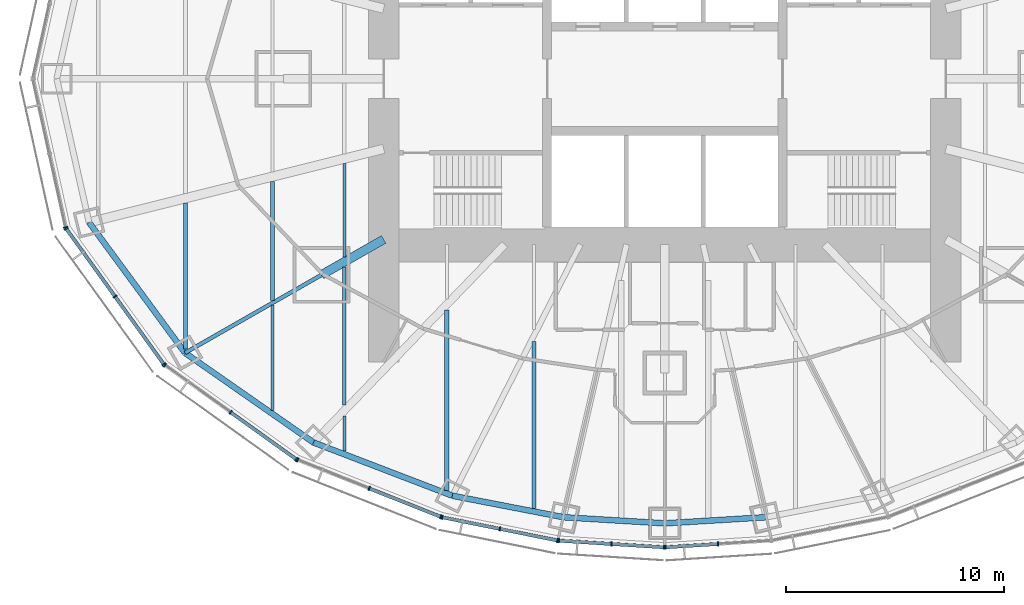
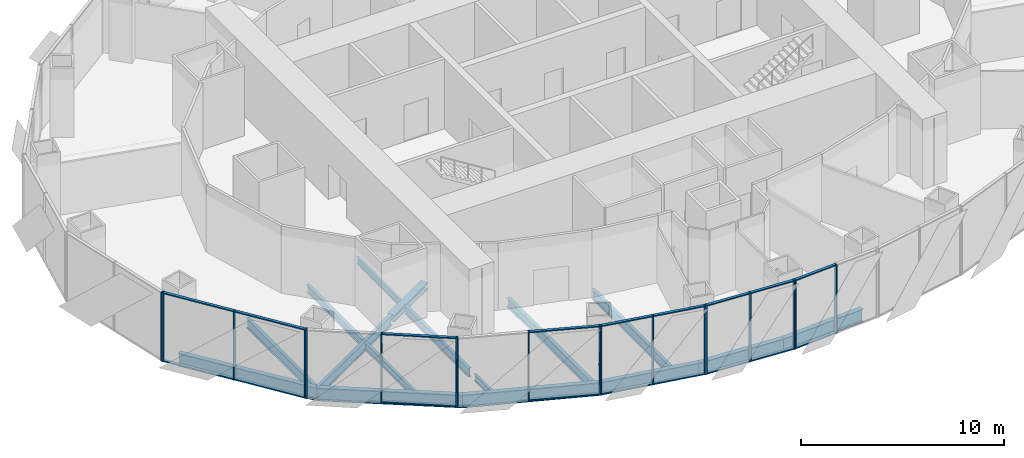
# One storey, part 2 of 18: 36 members, 16 beams, 7 elements without a shape of their own.
"""IFC4 building model written with IfcOpenShell, lengths in metres."""

from ifc_helpers import new_model, si_unit, direction, frame, origin, origin_2d, place, context, subcontext, project, spatial, rectangle, i_section, extrude, material, material_profile, profile_set, type_object, element, aggregate, save


model = new_model("IFC4")

# Units and contexts
model_context = context("Model", 3, precision=1e-05, world=origin(), true_north=direction((0.0, 1.0)))
body_context = subcontext(model_context, "Body", "Model", "MODEL_VIEW")
ifc_project = project(units=[si_unit("LENGTHUNIT", "METRE"), si_unit("AREAUNIT", "SQUARE_METRE"), si_unit("VOLUMEUNIT", "CUBIC_METRE"), si_unit("PLANEANGLEUNIT", "RADIAN"), si_unit("MASSUNIT", "GRAM", prefix="KILO")], contexts=[model_context])

# Site, building, storey
site_placement = place(None, origin())
site = spatial("IfcSite", under=ifc_project, at=site_placement, CompositionType="ELEMENT")
building_placement = place(site_placement, origin())
building = spatial("IfcBuilding", under=site, at=building_placement, Name="Lantaw Convention Tower", CompositionType="ELEMENT")
storey_placement = place(building_placement, frame((0.0, 0.0, 146.800048828125)))
storey = spatial("IfcBuildingStorey", under=building, at=storey_placement, Name="L34", CompositionType="ELEMENT", Elevation=146.800048828125)

# Beams
ifc_material_1 = material(Name="Steel ASTM A992", Category="steel")
ifc_material_profile_1 = material_profile(ifc_material_1, i_section(OverallWidth=0.2666015625, OverallDepth=0.76953125, WebThickness=0.015625, FlangeThickness=0.025390625, FilletRadius=0.0126953125, at=origin_2d()), Name="W30X132")
ifc_profile_set_1 = profile_set([ifc_material_profile_1], Name="Steel ASTM A992")
beam_type_1 = type_object("IfcBeamType", Name="Beam E W30X132", PredefinedType="SPANDREL", material=ifc_profile_set_1)
beam_1_placement = place(storey_placement, frame((-26.419921875, -6.587158203125, -0.534912109375), z_axis=(0.5923891972, -0.805651934176, 0.0), x_axis=(0.805651934176, 0.5923891972, 0.0)))
element("IfcBeam", 1, at=beam_1_placement, inside=storey, type_object=beam_type_1, Name="Edge beam 14", PredefinedType="SPANDREL", context=body_context, shape_type="SweptSolid", body=[
    extrude(i_section(OverallWidth=0.2666015625, OverallDepth=0.76953125, WebThickness=0.015625, FlangeThickness=0.025390625, FilletRadius=0.0126953125, at=origin_2d()), origin(), (0.0, 0.0, 1.0), 7.437744140625),
])
beam_2_placement = place(storey_placement, frame((-22.013916015625, -12.579345703125, -0.534912109375), z_axis=(0.820310765287, -0.57191804339, 0.0), x_axis=(0.57191804339, 0.820310765287, 0.0)))
element("IfcBeam", 2, at=beam_2_placement, inside=storey, type_object=beam_type_1, Name="Edge beam 15", PredefinedType="SPANDREL", context=body_context, shape_type="SweptSolid", body=[
    extrude(i_section(OverallWidth=0.2666015625, OverallDepth=0.76953125, WebThickness=0.015625, FlangeThickness=0.025390625, FilletRadius=0.0126953125, at=origin_2d()), origin(), (0.0, 0.0, 1.0), 7.187744140625),
])
beam_3_placement = place(storey_placement, frame((-16.11767578125, -16.690185546875, -0.534912109375), z_axis=(0.933691081977, -0.358079549033, 0.0), x_axis=(0.358079549033, 0.933691081977, 0.0)))
element("IfcBeam", 3, at=beam_3_placement, inside=storey, type_object=beam_type_1, Name="Edge beam 16", PredefinedType="SPANDREL", context=body_context, shape_type="SweptSolid", body=[
    extrude(i_section(OverallWidth=0.2666015625, OverallDepth=0.76953125, WebThickness=0.015625, FlangeThickness=0.025390625, FilletRadius=0.0126953125, at=origin_2d()), origin(), (0.0, 0.0, 1.0), 6.821533203125),
])
beam_4_placement = place(storey_placement, frame((-9.74853515625, -19.1328125, -0.534912109375), z_axis=(0.981796805654, -0.189934284446, 0.0), x_axis=(0.189934284446, 0.981796805654, 0.0)))
element("IfcBeam", 4, at=beam_4_placement, inside=storey, type_object=beam_type_1, Name="Edge beam 17", PredefinedType="SPANDREL", context=body_context, shape_type="SweptSolid", body=[
    extrude(i_section(OverallWidth=0.2666015625, OverallDepth=0.76953125, WebThickness=0.015625, FlangeThickness=0.025390625, FilletRadius=0.0126953125, at=origin_2d()), origin(), (0.0, 0.0, 1.0), 5.1982421875),
])
for number, where, z_axis, x_axis, name in (
    (5, (-4.64501953125, -20.1201171875, -0.534912109375), (0.998190892054, -0.06012439621, 0.0), (0.06012439621, 0.998190892054, 0.0), "Edge beam 18"),
    (6, (0.0, -20.39990234375, -0.534912109375), (0.998190892054, 0.06012439621, 0.0), (-0.06012439621, 0.998190892054, 0.0), "Edge beam 19"),
):
    element("IfcBeam", number, at=place(storey_placement, frame(where, z_axis=z_axis, x_axis=x_axis)), inside=storey, type_object=beam_type_1, Name=name, PredefinedType="SPANDREL", context=body_context, shape_type="SweptSolid", body=[
        extrude(i_section(OverallWidth=0.2666015625, OverallDepth=0.76953125, WebThickness=0.015625, FlangeThickness=0.025390625, FilletRadius=0.0126953125, at=origin_2d()), origin(), (0.0, 0.0, 1.0), 4.6533203125),
    ])
ifc_material_profile_2 = material_profile(ifc_material_1, i_section(OverallWidth=0.177978515625, OverallDepth=0.599365234375, WebThickness=0.010009765625, FlangeThickness=0.012939453125, FilletRadius=0.012939453125, at=origin_2d()), Name="W24X55")
ifc_profile_set_2 = profile_set([ifc_material_profile_2], Name="Steel ASTM A992")
beam_type_2 = type_object("IfcBeamType", Name="Beam G W24X55", PredefinedType="BEAM", material=ifc_profile_set_2)
beam_5_placement = place(storey_placement, frame((-15.75, -9.0, -0.44970703125), z_axis=(-0.868245224608, -0.496135293993, 0.0), x_axis=(0.496135293993, -0.868245224608, 0.0)))
element("IfcBeam", 7, at=beam_5_placement, inside=storey, type_object=beam_type_2, Name="Floor girder on ray 15", PredefinedType="BEAM", context=body_context, shape_type="SweptSolid", body=[
    extrude(i_section(OverallWidth=0.177978515625, OverallDepth=0.599365234375, WebThickness=0.010009765625, FlangeThickness=0.012939453125, FilletRadius=0.012939453125, at=origin_2d()), origin(), (0.0, 0.0, 1.0), 7.21435546875),
])
ifc_material_profile_3 = material_profile(ifc_material_1, i_section(OverallWidth=0.40380859375, OverallDepth=0.406494140625, WebThickness=0.027099609375, FlangeThickness=0.043701171875, FilletRadius=0.01513671875, at=origin_2d()), Name="W14X233")
ifc_profile_set_3 = profile_set([ifc_material_profile_3], Name="Steel ASTM A992")
beam_type_3 = type_object("IfcBeamType", Name="Beam GM W14X233", PredefinedType="BEAM", material=ifc_profile_set_3)
beam_6_placement = place(storey_placement, frame((-12.89990234375, -7.371337890625, -0.353271484375), z_axis=(-0.868238565244, -0.496146947811, 0.0), x_axis=(0.496146947811, -0.868238565244, 0.0)))
element("IfcBeam", 8, at=beam_6_placement, inside=storey, type_object=beam_type_3, Name="Core link beam on ray 15", PredefinedType="BEAM", context=body_context, shape_type="SweptSolid", body=[
    extrude(i_section(OverallWidth=0.40380859375, OverallDepth=0.406494140625, WebThickness=0.027099609375, FlangeThickness=0.043701171875, FilletRadius=0.01513671875, at=origin_2d()), origin(), (0.0, 0.0, 1.0), 3.28271484375),
])
ifc_material_profile_4 = material_profile(ifc_material_1, i_section(OverallWidth=0.140380859375, OverallDepth=0.40380859375, WebThickness=0.007080078125, FlangeThickness=0.01123046875, FilletRadius=0.01025390625, at=origin_2d()), Name="W16X31")
ifc_profile_set_4 = profile_set([ifc_material_profile_4], Name="Steel ASTM A992")
beam_type_4 = type_object("IfcBeamType", Name="Beam J W16X31", PredefinedType="JOIST", material=ifc_profile_set_4)
beam_7_placement = place(storey_placement, frame((-14.699951171875, -17.091064453125, -0.35205078125), z_axis=(0.0, 1.0, 0.0), x_axis=(-1.0, 0.0, 0.0)))
element("IfcBeam", 9, at=beam_7_placement, inside=storey, type_object=beam_type_4, Name="Floor joist", PredefinedType="JOIST", context=body_context, shape_type="SweptSolid", body=[
    extrude(i_section(OverallWidth=0.140380859375, OverallDepth=0.40380859375, WebThickness=0.007080078125, FlangeThickness=0.01123046875, FilletRadius=0.01025390625, at=origin_2d()), origin(), (0.0, 0.0, 1.0), 1.609130859375),
])
beam_8_placement = place(storey_placement, frame((-14.699951171875, -8.16748046875, -0.35205078125), z_axis=(0.0, 1.0, 0.0), x_axis=(-1.0, 0.0, 0.0)))
element("IfcBeam", 10, at=beam_8_placement, inside=storey, type_object=beam_type_4, Name="Floor joist", PredefinedType="JOIST", context=body_context, shape_type="SweptSolid", body=[
    extrude(i_section(OverallWidth=0.140380859375, OverallDepth=0.40380859375, WebThickness=0.007080078125, FlangeThickness=0.01123046875, FilletRadius=0.01025390625, at=origin_2d()), origin(), (0.0, 0.0, 1.0), 4.28515625),
])
ifc_material_profile_5 = material_profile(ifc_material_1, i_section(OverallWidth=0.15234375, OverallDepth=0.449462890625, WebThickness=0.007568359375, FlangeThickness=0.0107421875, FilletRadius=0.01025390625, at=origin_2d()), Name="W18X35")
ifc_profile_set_5 = profile_set([ifc_material_profile_5], Name="Steel ASTM A992")
beam_type_5 = type_object("IfcBeamType", Name="Beam J W18X35", PredefinedType="JOIST", material=ifc_profile_set_5)
beam_9_placement = place(storey_placement, frame((-18.0, -15.21533203125, -0.374755859375), z_axis=(0.0, 1.0, 0.0), x_axis=(-1.0, 0.0, 0.0)))
element("IfcBeam", 11, at=beam_9_placement, inside=storey, type_object=beam_type_5, Name="Floor joist", PredefinedType="JOIST", context=body_context, shape_type="SweptSolid", body=[
    extrude(i_section(OverallWidth=0.15234375, OverallDepth=0.449462890625, WebThickness=0.007568359375, FlangeThickness=0.0107421875, FilletRadius=0.01025390625, at=origin_2d()), origin(), (0.0, 0.0, 1.0), 4.8271484375),
])
ifc_material_profile_6 = material_profile(ifc_material_1, i_section(OverallWidth=0.1904296875, OverallDepth=0.457275390625, WebThickness=0.009033203125, FlangeThickness=0.014404296875, FilletRadius=0.01025390625, at=origin_2d()), Name="W18X50")
ifc_profile_set_6 = profile_set([ifc_material_profile_6], Name="Steel ASTM A992")
beam_type_6 = type_object("IfcBeamType", Name="Beam J W18X50", PredefinedType="JOIST", material=ifc_profile_set_6)
beam_10_placement = place(storey_placement, frame((-18.0, -10.18310546875, -0.378662109375), z_axis=(0.0, 1.0, 0.0), x_axis=(-1.0, 0.0, 0.0)))
element("IfcBeam", 12, at=beam_10_placement, inside=storey, type_object=beam_type_6, Name="Floor joist", PredefinedType="JOIST", context=body_context, shape_type="SweptSolid", body=[
    extrude(i_section(OverallWidth=0.1904296875, OverallDepth=0.457275390625, WebThickness=0.009033203125, FlangeThickness=0.014404296875, FilletRadius=0.01025390625, at=origin_2d()), origin(), (0.0, 0.0, 1.0), 5.47802734375),
])
ifc_material_profile_7 = material_profile(ifc_material_1, i_section(OverallWidth=0.1650390625, OverallDepth=0.52587890625, WebThickness=0.0087890625, FlangeThickness=0.011474609375, FilletRadius=0.0126953125, at=origin_2d()), Name="W21X44")
ifc_profile_set_7 = profile_set([ifc_material_profile_7], Name="Steel ASTM A992")
beam_type_7 = type_object("IfcBeamType", Name="Beam J W21X44", PredefinedType="JOIST", material=ifc_profile_set_7)
beam_11_placement = place(storey_placement, frame((-14.699951171875, -14.962646484375, -0.412841796875), z_axis=(0.0, 1.0, 0.0), x_axis=(-1.0, 0.0, 0.0)))
element("IfcBeam", 13, at=beam_11_placement, inside=storey, type_object=beam_type_7, Name="Floor joist", PredefinedType="JOIST", context=body_context, shape_type="SweptSolid", body=[
    extrude(i_section(OverallWidth=0.1650390625, OverallDepth=0.52587890625, WebThickness=0.0087890625, FlangeThickness=0.011474609375, FilletRadius=0.0126953125, at=origin_2d()), origin(), (0.0, 0.0, 1.0), 6.330078125),
])
ifc_material_profile_8 = material_profile(ifc_material_1, i_section(OverallWidth=0.2099609375, OverallDepth=0.535888671875, WebThickness=0.010986328125, FlangeThickness=0.017333984375, FilletRadius=0.012939453125, at=origin_2d()), Name="W21X68")
ifc_profile_set_8 = profile_set([ifc_material_profile_8], Name="Steel ASTM A992")
beam_type_8 = type_object("IfcBeamType", Name="Beam J W21X68", PredefinedType="JOIST", material=ifc_profile_set_8)
beam_12_placement = place(storey_placement, frame((-10.0, -18.8935546875, -0.41796875), z_axis=(0.0, 1.0, 0.0), x_axis=(-1.0, 0.0, 0.0)))
element("IfcBeam", 14, at=beam_12_placement, inside=storey, type_object=beam_type_8, Name="Floor joist", PredefinedType="JOIST", context=body_context, shape_type="SweptSolid", body=[
    extrude(i_section(OverallWidth=0.2099609375, OverallDepth=0.535888671875, WebThickness=0.010986328125, FlangeThickness=0.017333984375, FilletRadius=0.012939453125, at=origin_2d()), origin(), (0.0, 0.0, 1.0), 8.278564453125),
])
ifc_material_profile_9 = material_profile(ifc_material_1, i_section(OverallWidth=0.177978515625, OverallDepth=0.599365234375, WebThickness=0.010009765625, FlangeThickness=0.012939453125, FilletRadius=0.012939453125, at=origin_2d()), Name="W24X55")
ifc_profile_set_9 = profile_set([ifc_material_profile_9], Name="Steel ASTM A992")
beam_type_9 = type_object("IfcBeamType", Name="Beam J W24X55", PredefinedType="JOIST", material=ifc_profile_set_9)
beam_13_placement = place(storey_placement, frame((-22.0, -12.408935546875, -0.44970703125), z_axis=(0.0, 1.0, 0.0), x_axis=(-1.0, 0.0, 0.0)))
element("IfcBeam", 15, at=beam_13_placement, inside=storey, type_object=beam_type_9, Name="Floor joist", PredefinedType="JOIST", context=body_context, shape_type="SweptSolid", body=[
    extrude(i_section(OverallWidth=0.177978515625, OverallDepth=0.599365234375, WebThickness=0.010009765625, FlangeThickness=0.012939453125, FilletRadius=0.012939453125, at=origin_2d()), origin(), (0.0, 0.0, 1.0), 6.70654296875),
])
beam_14_placement = place(storey_placement, frame((-6.0, -19.72216796875, -0.44970703125), z_axis=(0.0, 1.0, 0.0), x_axis=(-1.0, 0.0, 0.0)))
element("IfcBeam", 16, at=beam_14_placement, inside=storey, type_object=beam_type_9, Name="Floor joist", PredefinedType="JOIST", context=body_context, shape_type="SweptSolid", body=[
    extrude(i_section(OverallWidth=0.177978515625, OverallDepth=0.599365234375, WebThickness=0.010009765625, FlangeThickness=0.012939453125, FilletRadius=0.012939453125, at=origin_2d()), origin(), (0.0, 0.0, 1.0), 7.666748046875),
])

# Curtain wall, member
ifc_material_2 = material(Name="Aluminium framed curtain wall", Category="aluminium")
curtain_wall_type = type_object("IfcCurtainWallType", Name="Office curtain wall low rise, pale aluminium", PredefinedType="USERDEFINED", material=ifc_material_2)
curtain_wall_1_placement = place(storey_placement, origin())
curtain_wall_1 = element("IfcCurtainWall", 17, at=curtain_wall_1_placement, inside=storey, type_object=curtain_wall_type, Name="Office curtain wall low rise, pale aluminium L34", ObjectType="UNITISED CURTAIN WALL", PredefinedType="USERDEFINED")
ifc_material_3 = material(Name="Aluminium 6063-T6", Category="aluminium")
ifc_material_profile_10 = material_profile(ifc_material_3, rectangle(XDim=0.199951171875, YDim=0.06494140625, at=origin_2d()), Name="CW-O1 mullion 65x200")
ifc_profile_set_10 = profile_set([ifc_material_profile_10], Name="Aluminium 6063-T6")
member_type_1 = type_object("IfcMemberType", Name="CW-O1 mullion 65x200", PredefinedType="MULLION", material=ifc_profile_set_10)
member_1_placement = place(storey_placement, frame((-27.494140625, -6.821533203125, -0.150146484375), z_axis=(0.0, 0.0, 1.0), x_axis=(0.9764936509, 0.215546166174, 0.0)))
member_1 = element("IfcMember", 18, at=member_1_placement, type_object=member_type_1, Name="CW-O1 mullion 3", PredefinedType="MULLION", context=body_context, shape_type="SweptSolid", body=[
    extrude(rectangle(XDim=0.199951171875, YDim=0.06494140625, at=origin_2d()), origin(), (0.0, 0.0, 1.0), 4.150146484375),
])
aggregate(curtain_wall_1, [member_1])

# Curtain wall, members
curtain_wall_2_placement = place(storey_placement, origin())
curtain_wall_2 = element("IfcCurtainWall", 19, at=curtain_wall_2_placement, inside=storey, type_object=curtain_wall_type, Name="Office curtain wall low rise, pale aluminium L34", ObjectType="UNITISED CURTAIN WALL", PredefinedType="USERDEFINED")
member_2_placement = place(storey_placement, frame((-27.46826171875, -6.879638671875, -0.150146484375), z_axis=(0.0, 0.0, 1.0), x_axis=(0.811384633629, 0.584512597221, 0.0)))
member_2 = element("IfcMember", 20, at=member_2_placement, type_object=member_type_1, Name="CW-O1 mullion 1", PredefinedType="MULLION", context=body_context, shape_type="SweptSolid", body=[
    extrude(rectangle(XDim=0.199951171875, YDim=0.06494140625, at=origin_2d()), origin(), (0.0, 0.0, 1.0), 4.150146484375),
])
member_3_placement = place(storey_placement, frame((-25.22802734375, -9.9892578125, -0.150146484375), z_axis=(0.0, 0.0, 1.0), x_axis=(0.811384633629, 0.584512597221, 0.0)))
member_3 = element("IfcMember", 21, at=member_3_placement, type_object=member_type_1, Name="CW-O1 mullion 2", PredefinedType="MULLION", context=body_context, shape_type="SweptSolid", body=[
    extrude(rectangle(XDim=0.199951171875, YDim=0.06494140625, at=origin_2d()), origin(), (0.0, 0.0, 1.0), 4.150146484375),
])
member_4_placement = place(storey_placement, frame((-22.988037109375, -13.098876953125, -0.150146484375), z_axis=(0.0, 0.0, 1.0), x_axis=(0.811384633629, 0.584512597221, 0.0)))
member_4 = element("IfcMember", 22, at=member_4_placement, type_object=member_type_1, Name="CW-O1 mullion 3", PredefinedType="MULLION", context=body_context, shape_type="SweptSolid", body=[
    extrude(rectangle(XDim=0.199951171875, YDim=0.06494140625, at=origin_2d()), origin(), (0.0, 0.0, 1.0), 4.150146484375),
])

curtain_wall_3_placement = place(storey_placement, origin())
curtain_wall_3 = element("IfcCurtainWall", 23, at=curtain_wall_3_placement, inside=storey, type_object=curtain_wall_type, Name="Office curtain wall low rise, pale aluminium L34", ObjectType="UNITISED CURTAIN WALL", PredefinedType="USERDEFINED")
member_5_placement = place(storey_placement, frame((-22.942626953125, -13.14404296875, -0.150146484375), z_axis=(0.0, 0.0, 1.0), x_axis=(0.581972695693, 0.813208325995, 0.0)))
member_5 = element("IfcMember", 24, at=member_5_placement, type_object=member_type_1, Name="CW-O1 mullion 1", PredefinedType="MULLION", context=body_context, shape_type="SweptSolid", body=[
    extrude(rectangle(XDim=0.199951171875, YDim=0.06494140625, at=origin_2d()), origin(), (0.0, 0.0, 1.0), 4.150146484375),
])
member_6_placement = place(storey_placement, frame((-19.92529296875, -15.303466796875, -0.150146484375), z_axis=(0.0, 0.0, 1.0), x_axis=(0.581972695693, 0.813208325995, 0.0)))
member_6 = element("IfcMember", 25, at=member_6_placement, type_object=member_type_1, Name="CW-O1 mullion 2", PredefinedType="MULLION", context=body_context, shape_type="SweptSolid", body=[
    extrude(rectangle(XDim=0.199951171875, YDim=0.06494140625, at=origin_2d()), origin(), (0.0, 0.0, 1.0), 4.150146484375),
])
member_7_placement = place(storey_placement, frame((-16.908203125, -17.462646484375, -0.150146484375), z_axis=(0.0, 0.0, 1.0), x_axis=(0.581972695693, 0.813208325995, 0.0)))
member_7 = element("IfcMember", 26, at=member_7_placement, type_object=member_type_1, Name="CW-O1 mullion 3", PredefinedType="MULLION", context=body_context, shape_type="SweptSolid", body=[
    extrude(rectangle(XDim=0.199951171875, YDim=0.06494140625, at=origin_2d()), origin(), (0.0, 0.0, 1.0), 4.150146484375),
])

curtain_wall_4_placement = place(storey_placement, origin())
curtain_wall_4 = element("IfcCurtainWall", 27, at=curtain_wall_4_placement, inside=storey, type_object=curtain_wall_type, Name="Office curtain wall low rise, pale aluminium L34", ObjectType="UNITISED CURTAIN WALL", PredefinedType="USERDEFINED")
member_8_placement = place(storey_placement, frame((-16.8515625, -17.49365234375, -0.150146484375), z_axis=(0.0, 0.0, 1.0), x_axis=(0.368701907483, 0.929547687544, 0.0)))
member_8 = element("IfcMember", 28, at=member_8_placement, type_object=member_type_1, Name="CW-O1 mullion 1", PredefinedType="MULLION", context=body_context, shape_type="SweptSolid", body=[
    extrude(rectangle(XDim=0.199951171875, YDim=0.06494140625, at=origin_2d()), origin(), (0.0, 0.0, 1.0), 4.150146484375),
])
member_9_placement = place(storey_placement, frame((-13.56494140625, -18.797119140625, -0.150146484375), z_axis=(0.0, 0.0, 1.0), x_axis=(0.368701907483, 0.929547687544, 0.0)))
member_9 = element("IfcMember", 29, at=member_9_placement, type_object=member_type_1, Name="CW-O1 mullion 2", PredefinedType="MULLION", context=body_context, shape_type="SweptSolid", body=[
    extrude(rectangle(XDim=0.199951171875, YDim=0.06494140625, at=origin_2d()), origin(), (0.0, 0.0, 1.0), 4.150146484375),
])
member_10_placement = place(storey_placement, frame((-10.2783203125, -20.100830078125, -0.150146484375), z_axis=(0.0, 0.0, 1.0), x_axis=(0.368701907483, 0.929547687544, 0.0)))
member_10 = element("IfcMember", 30, at=member_10_placement, type_object=member_type_1, Name="CW-O1 mullion 3", PredefinedType="MULLION", context=body_context, shape_type="SweptSolid", body=[
    extrude(rectangle(XDim=0.199951171875, YDim=0.06494140625, at=origin_2d()), origin(), (0.0, 0.0, 1.0), 4.150146484375),
])

curtain_wall_5_placement = place(storey_placement, origin())
curtain_wall_5 = element("IfcCurtainWall", 31, at=curtain_wall_5_placement, inside=storey, type_object=curtain_wall_type, Name="Office curtain wall low rise, pale aluminium L34", ObjectType="UNITISED CURTAIN WALL", PredefinedType="USERDEFINED")
member_11_placement = place(storey_placement, frame((-10.216064453125, -20.119140625, -0.150146484375), z_axis=(0.0, 0.0, 1.0), x_axis=(0.197506809659, 0.980301514912, 0.0)))
member_11 = element("IfcMember", 32, at=member_11_placement, type_object=member_type_1, Name="CW-O1 mullion 1", PredefinedType="MULLION", context=body_context, shape_type="SweptSolid", body=[
    extrude(rectangle(XDim=0.199951171875, YDim=0.06494140625, at=origin_2d()), origin(), (0.0, 0.0, 1.0), 4.150146484375),
])
member_12_placement = place(storey_placement, frame((-7.5703125, -20.65234375, -0.150146484375), z_axis=(0.0, 0.0, 1.0), x_axis=(0.197506809659, 0.980301514912, 0.0)))
member_12 = element("IfcMember", 33, at=member_12_placement, type_object=member_type_1, Name="CW-O1 mullion 2", PredefinedType="MULLION", context=body_context, shape_type="SweptSolid", body=[
    extrude(rectangle(XDim=0.199951171875, YDim=0.06494140625, at=origin_2d()), origin(), (0.0, 0.0, 1.0), 4.150146484375),
])
member_13_placement = place(storey_placement, frame((-4.92431640625, -21.185302734375, -0.150146484375), z_axis=(0.0, 0.0, 1.0), x_axis=(0.197506809659, 0.980301514912, 0.0)))
member_13 = element("IfcMember", 34, at=member_13_placement, type_object=member_type_1, Name="CW-O1 mullion 3", PredefinedType="MULLION", context=body_context, shape_type="SweptSolid", body=[
    extrude(rectangle(XDim=0.199951171875, YDim=0.06494140625, at=origin_2d()), origin(), (0.0, 0.0, 1.0), 4.150146484375),
])

curtain_wall_6_placement = place(storey_placement, origin())
curtain_wall_6 = element("IfcCurtainWall", 35, at=curtain_wall_6_placement, inside=storey, type_object=curtain_wall_type, Name="Office curtain wall low rise, pale aluminium L34", ObjectType="UNITISED CURTAIN WALL", PredefinedType="USERDEFINED")
member_14_placement = place(storey_placement, frame((-4.860107421875, -21.19384765625, -0.150146484375), z_axis=(0.0, 0.0, 1.0), x_axis=(0.062865059466, 0.998022035978, 0.0)))
member_14 = element("IfcMember", 36, at=member_14_placement, type_object=member_type_1, Name="CW-O1 mullion 1", PredefinedType="MULLION", context=body_context, shape_type="SweptSolid", body=[
    extrude(rectangle(XDim=0.199951171875, YDim=0.06494140625, at=origin_2d()), origin(), (0.0, 0.0, 1.0), 4.150146484375),
])
member_15_placement = place(storey_placement, frame((-2.4462890625, -21.345947265625, -0.150146484375), z_axis=(0.0, 0.0, 1.0), x_axis=(0.062865059466, 0.998022035978, 0.0)))
member_15 = element("IfcMember", 37, at=member_15_placement, type_object=member_type_1, Name="CW-O1 mullion 2", PredefinedType="MULLION", context=body_context, shape_type="SweptSolid", body=[
    extrude(rectangle(XDim=0.199951171875, YDim=0.06494140625, at=origin_2d()), origin(), (0.0, 0.0, 1.0), 4.150146484375),
])
member_16_placement = place(storey_placement, frame((-0.032470703125, -21.498046875, -0.150146484375), z_axis=(0.0, 0.0, 1.0), x_axis=(0.062865059466, 0.998022035978, 0.0)))
member_16 = element("IfcMember", 38, at=member_16_placement, type_object=member_type_1, Name="CW-O1 mullion 3", PredefinedType="MULLION", context=body_context, shape_type="SweptSolid", body=[
    extrude(rectangle(XDim=0.199951171875, YDim=0.06494140625, at=origin_2d()), origin(), (0.0, 0.0, 1.0), 4.150146484375),
])

curtain_wall_7_placement = place(storey_placement, origin())
curtain_wall_7 = element("IfcCurtainWall", 39, at=curtain_wall_7_placement, inside=storey, type_object=curtain_wall_type, Name="Office curtain wall low rise, pale aluminium L34", ObjectType="UNITISED CURTAIN WALL", PredefinedType="USERDEFINED")
member_17_placement = place(storey_placement, frame((0.032470703125, -21.498046875, -0.150146484375), z_axis=(0.0, 0.0, 1.0), x_axis=(-0.062865059466, 0.998022035978, 0.0)))
member_17 = element("IfcMember", 40, at=member_17_placement, type_object=member_type_1, Name="CW-O1 mullion 1", PredefinedType="MULLION", context=body_context, shape_type="SweptSolid", body=[
    extrude(rectangle(XDim=0.199951171875, YDim=0.06494140625, at=origin_2d()), origin(), (0.0, 0.0, 1.0), 4.150146484375),
])
member_18_placement = place(storey_placement, frame((2.4462890625, -21.345947265625, -0.150146484375), z_axis=(0.0, 0.0, 1.0), x_axis=(-0.062865059466, 0.998022035978, 0.0)))
member_18 = element("IfcMember", 41, at=member_18_placement, type_object=member_type_1, Name="CW-O1 mullion 2", PredefinedType="MULLION", context=body_context, shape_type="SweptSolid", body=[
    extrude(rectangle(XDim=0.199951171875, YDim=0.06494140625, at=origin_2d()), origin(), (0.0, 0.0, 1.0), 4.150146484375),
])

# Member
ifc_material_profile_11 = material_profile(ifc_material_3, rectangle(XDim=0.159912109375, YDim=0.06494140625, at=origin_2d()), Name="CW-O1 transom 65x160")
ifc_profile_set_11 = profile_set([ifc_material_profile_11], Name="Aluminium 6063-T6")
member_type_2 = type_object("IfcMemberType", Name="CW-O1 transom 65x160", PredefinedType="USERDEFINED", material=ifc_profile_set_11)
member_19_placement = place(storey_placement, frame((-27.44921875, -6.906005859375, -0.117431640625), z_axis=(0.584512973979, -0.811384362217, 0.0), x_axis=(0.811384362217, 0.584512973979, 0.0)))
member_19 = element("IfcMember", 42, at=member_19_placement, type_object=member_type_2, Name="CW-O1 transom 1.1", ObjectType="TRANSOM", PredefinedType="USERDEFINED", context=body_context, shape_type="SweptSolid", body=[
    extrude(rectangle(XDim=0.159912109375, YDim=0.06494140625, at=origin_2d()), origin(), (0.0, 0.0, 1.0), 3.767578125),
])

member_20_placement = place(storey_placement, frame((-27.44921875, -6.906005859375, 3.967529296875), z_axis=(0.584512973979, -0.811384362217, 0.0), x_axis=(0.811384362217, 0.584512973979, 0.0)))
member_20 = element("IfcMember", 43, at=member_20_placement, type_object=member_type_2, Name="CW-O1 transom 1.2", ObjectType="TRANSOM", PredefinedType="USERDEFINED", context=body_context, shape_type="SweptSolid", body=[
    extrude(rectangle(XDim=0.159912109375, YDim=0.06494140625, at=origin_2d()), origin(), (0.0, 0.0, 1.0), 3.767578125),
])

member_21_placement = place(storey_placement, frame((-25.209228515625, -10.015625, -0.117431640625), z_axis=(0.584512973979, -0.811384362217, 0.0), x_axis=(0.811384362217, 0.584512973979, 0.0)))
member_21 = element("IfcMember", 44, at=member_21_placement, type_object=member_type_2, Name="CW-O1 transom 2.1", ObjectType="TRANSOM", PredefinedType="USERDEFINED", context=body_context, shape_type="SweptSolid", body=[
    extrude(rectangle(XDim=0.159912109375, YDim=0.06494140625, at=origin_2d()), origin(), (0.0, 0.0, 1.0), 3.767578125),
])

member_22_placement = place(storey_placement, frame((-25.209228515625, -10.015625, 3.967529296875), z_axis=(0.584512973979, -0.811384362217, 0.0), x_axis=(0.811384362217, 0.584512973979, 0.0)))
member_22 = element("IfcMember", 45, at=member_22_placement, type_object=member_type_2, Name="CW-O1 transom 2.2", ObjectType="TRANSOM", PredefinedType="USERDEFINED", context=body_context, shape_type="SweptSolid", body=[
    extrude(rectangle(XDim=0.159912109375, YDim=0.06494140625, at=origin_2d()), origin(), (0.0, 0.0, 1.0), 3.767578125),
])

aggregate(curtain_wall_2, [member_2, member_3, member_4, member_19, member_20, member_21, member_22])

member_23_placement = place(storey_placement, frame((-19.89892578125, -15.322265625, -0.117431640625), z_axis=(0.813190089133, -0.581998177777, 0.0), x_axis=(0.581998177777, 0.813190089133, 0.0)))
member_23 = element("IfcMember", 46, at=member_23_placement, type_object=member_type_2, Name="CW-O1 transom 2.1", ObjectType="TRANSOM", PredefinedType="USERDEFINED", context=body_context, shape_type="SweptSolid", body=[
    extrude(rectangle(XDim=0.159912109375, YDim=0.06494140625, at=origin_2d()), origin(), (0.0, 0.0, 1.0), 3.645263671875),
])

member_24_placement = place(storey_placement, frame((-19.89892578125, -15.322265625, 3.967529296875), z_axis=(0.813190089133, -0.581998177777, 0.0), x_axis=(0.581998177777, 0.813190089133, 0.0)))
member_24 = element("IfcMember", 47, at=member_24_placement, type_object=member_type_2, Name="CW-O1 transom 2.2", ObjectType="TRANSOM", PredefinedType="USERDEFINED", context=body_context, shape_type="SweptSolid", body=[
    extrude(rectangle(XDim=0.159912109375, YDim=0.06494140625, at=origin_2d()), origin(), (0.0, 0.0, 1.0), 3.645263671875),
])

aggregate(curtain_wall_3, [member_5, member_6, member_7, member_23, member_24])

member_25_placement = place(storey_placement, frame((-13.53466796875, -18.80908203125, -0.117431640625), z_axis=(0.929540081544, -0.368721082668, 0.0), x_axis=(0.368721082668, 0.929540081544, 0.0)))
member_25 = element("IfcMember", 48, at=member_25_placement, type_object=member_type_2, Name="CW-O1 transom 2.1", ObjectType="TRANSOM", PredefinedType="USERDEFINED", context=body_context, shape_type="SweptSolid", body=[
    extrude(rectangle(XDim=0.159912109375, YDim=0.06494140625, at=origin_2d()), origin(), (0.0, 0.0, 1.0), 3.470947265625),
])

member_26_placement = place(storey_placement, frame((-13.53466796875, -18.80908203125, 3.967529296875), z_axis=(0.929540081544, -0.368721082668, 0.0), x_axis=(0.368721082668, 0.929540081544, 0.0)))
member_26 = element("IfcMember", 49, at=member_26_placement, type_object=member_type_2, Name="CW-O1 transom 2.2", ObjectType="TRANSOM", PredefinedType="USERDEFINED", context=body_context, shape_type="SweptSolid", body=[
    extrude(rectangle(XDim=0.159912109375, YDim=0.06494140625, at=origin_2d()), origin(), (0.0, 0.0, 1.0), 3.470947265625),
])

aggregate(curtain_wall_4, [member_8, member_9, member_10, member_25, member_26])

member_27_placement = place(storey_placement, frame((-10.184326171875, -20.125732421875, -0.117431640625), z_axis=(0.980301643003, -0.197506173891, 0.0), x_axis=(0.197506173891, 0.980301643003, 0.0)))
member_27 = element("IfcMember", 50, at=member_27_placement, type_object=member_type_2, Name="CW-O1 transom 1.1", ObjectType="TRANSOM", PredefinedType="USERDEFINED", context=body_context, shape_type="SweptSolid", body=[
    extrude(rectangle(XDim=0.159912109375, YDim=0.06494140625, at=origin_2d()), origin(), (0.0, 0.0, 1.0), 2.63427734375),
])

member_28_placement = place(storey_placement, frame((-10.184326171875, -20.125732421875, 3.967529296875), z_axis=(0.980301643003, -0.197506173891, 0.0), x_axis=(0.197506173891, 0.980301643003, 0.0)))
member_28 = element("IfcMember", 51, at=member_28_placement, type_object=member_type_2, Name="CW-O1 transom 1.2", ObjectType="TRANSOM", PredefinedType="USERDEFINED", context=body_context, shape_type="SweptSolid", body=[
    extrude(rectangle(XDim=0.159912109375, YDim=0.06494140625, at=origin_2d()), origin(), (0.0, 0.0, 1.0), 2.63427734375),
])

member_29_placement = place(storey_placement, frame((-7.538330078125, -20.65869140625, -0.117431640625), z_axis=(0.980298027092, -0.197524120247, 0.0), x_axis=(0.197524120247, 0.980298027092, 0.0)))
member_29 = element("IfcMember", 52, at=member_29_placement, type_object=member_type_2, Name="CW-O1 transom 2.1", ObjectType="TRANSOM", PredefinedType="USERDEFINED", context=body_context, shape_type="SweptSolid", body=[
    extrude(rectangle(XDim=0.159912109375, YDim=0.06494140625, at=origin_2d()), origin(), (0.0, 0.0, 1.0), 2.634033203125),
])

member_30_placement = place(storey_placement, frame((-7.538330078125, -20.65869140625, 3.967529296875), z_axis=(0.980298027092, -0.197524120247, 0.0), x_axis=(0.197524120247, 0.980298027092, 0.0)))
member_30 = element("IfcMember", 53, at=member_30_placement, type_object=member_type_2, Name="CW-O1 transom 2.2", ObjectType="TRANSOM", PredefinedType="USERDEFINED", context=body_context, shape_type="SweptSolid", body=[
    extrude(rectangle(XDim=0.159912109375, YDim=0.06494140625, at=origin_2d()), origin(), (0.0, 0.0, 1.0), 2.634033203125),
])

aggregate(curtain_wall_5, [member_11, member_12, member_13, member_27, member_28, member_29, member_30])

member_31_placement = place(storey_placement, frame((-4.82763671875, -21.19580078125, -0.117431640625), z_axis=(0.998022188463, -0.062862638625, 0.0), x_axis=(0.062862638625, 0.998022188463, 0.0)))
member_31 = element("IfcMember", 54, at=member_31_placement, type_object=member_type_2, Name="CW-O1 transom 1.1", ObjectType="TRANSOM", PredefinedType="USERDEFINED", context=body_context, shape_type="SweptSolid", body=[
    extrude(rectangle(XDim=0.159912109375, YDim=0.06494140625, at=origin_2d()), origin(), (0.0, 0.0, 1.0), 2.353515625),
])

member_32_placement = place(storey_placement, frame((-4.82763671875, -21.19580078125, 3.967529296875), z_axis=(0.998022188463, -0.062862638625, 0.0), x_axis=(0.062862638625, 0.998022188463, 0.0)))
member_32 = element("IfcMember", 55, at=member_32_placement, type_object=member_type_2, Name="CW-O1 transom 1.2", ObjectType="TRANSOM", PredefinedType="USERDEFINED", context=body_context, shape_type="SweptSolid", body=[
    extrude(rectangle(XDim=0.159912109375, YDim=0.06494140625, at=origin_2d()), origin(), (0.0, 0.0, 1.0), 2.353515625),
])

member_33_placement = place(storey_placement, frame((-2.413818359375, -21.347900390625, -0.117431640625), z_axis=(0.998022188463, -0.062862638625, 0.0), x_axis=(0.062862638625, 0.998022188463, 0.0)))
member_33 = element("IfcMember", 56, at=member_33_placement, type_object=member_type_2, Name="CW-O1 transom 2.1", ObjectType="TRANSOM", PredefinedType="USERDEFINED", context=body_context, shape_type="SweptSolid", body=[
    extrude(rectangle(XDim=0.159912109375, YDim=0.06494140625, at=origin_2d()), origin(), (0.0, 0.0, 1.0), 2.353515625),
])

member_34_placement = place(storey_placement, frame((-2.413818359375, -21.347900390625, 3.967529296875), z_axis=(0.998022188463, -0.062862638625, 0.0), x_axis=(0.062862638625, 0.998022188463, 0.0)))
member_34 = element("IfcMember", 57, at=member_34_placement, type_object=member_type_2, Name="CW-O1 transom 2.2", ObjectType="TRANSOM", PredefinedType="USERDEFINED", context=body_context, shape_type="SweptSolid", body=[
    extrude(rectangle(XDim=0.159912109375, YDim=0.06494140625, at=origin_2d()), origin(), (0.0, 0.0, 1.0), 2.353515625),
])

aggregate(curtain_wall_6, [member_14, member_15, member_16, member_31, member_32, member_33, member_34])

member_35_placement = place(storey_placement, frame((0.06494140625, -21.495849609375, -0.117431640625), z_axis=(0.998022188463, 0.062862638625, 0.0), x_axis=(-0.062862638625, 0.998022188463, 0.0)))
member_35 = element("IfcMember", 58, at=member_35_placement, type_object=member_type_2, Name="CW-O1 transom 1.1", ObjectType="TRANSOM", PredefinedType="USERDEFINED", context=body_context, shape_type="SweptSolid", body=[
    extrude(rectangle(XDim=0.159912109375, YDim=0.06494140625, at=origin_2d()), origin(), (0.0, 0.0, 1.0), 2.353515625),
])

member_36_placement = place(storey_placement, frame((0.06494140625, -21.495849609375, 3.967529296875), z_axis=(0.998022188463, 0.062862638625, 0.0), x_axis=(-0.062862638625, 0.998022188463, 0.0)))
member_36 = element("IfcMember", 59, at=member_36_placement, type_object=member_type_2, Name="CW-O1 transom 1.2", ObjectType="TRANSOM", PredefinedType="USERDEFINED", context=body_context, shape_type="SweptSolid", body=[
    extrude(rectangle(XDim=0.159912109375, YDim=0.06494140625, at=origin_2d()), origin(), (0.0, 0.0, 1.0), 2.353515625),
])

aggregate(curtain_wall_7, [member_17, member_18, member_35, member_36])

save(model, "model.ifc")
